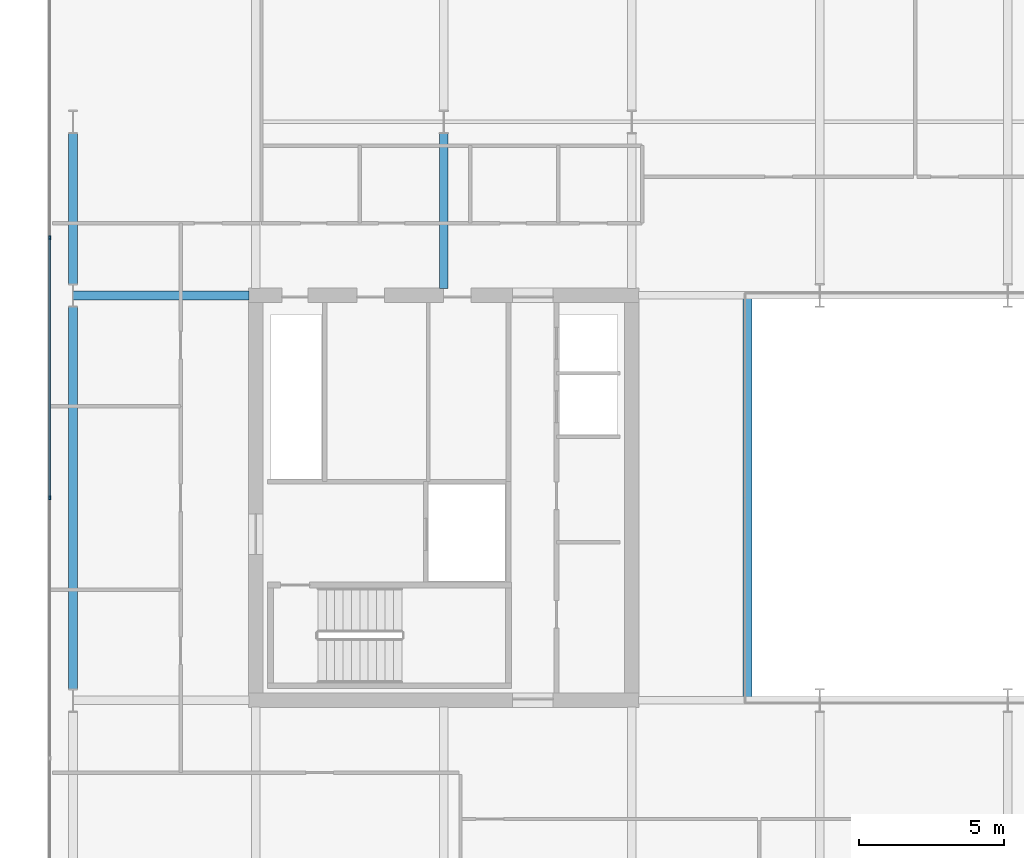
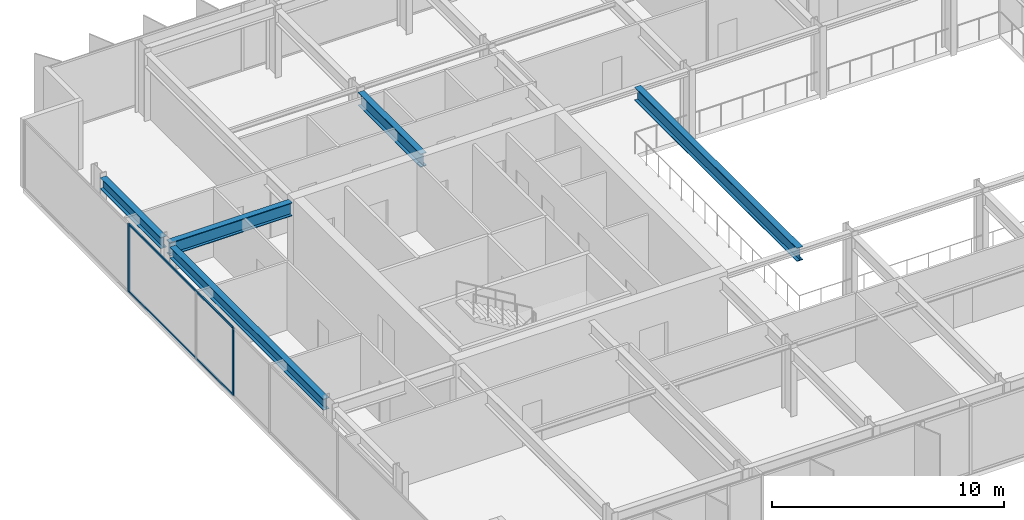
# One storey, part 5 of 23: 5 beams, 4 members, 1 element without a shape of its own.
"""IFC4 building model written with IfcOpenShell, lengths in metres."""

from ifc_helpers import new_model, si_unit, direction, frame, origin, origin_2d, place, context, subcontext, project, spatial, rectangle, i_section, extrude, material, layer, layer_set, material_profile, profile_set, type_object, element, aggregate, save


model = new_model("IFC4")

# Units and contexts
model_context = context("Model", 3, precision=1e-05, world=origin(), true_north=direction((0.0, 1.0)))
body_context = subcontext(model_context, "Body", "Model", "MODEL_VIEW")
ifc_project = project(units=[si_unit("LENGTHUNIT", "METRE"), si_unit("AREAUNIT", "SQUARE_METRE"), si_unit("VOLUMEUNIT", "CUBIC_METRE"), si_unit("PLANEANGLEUNIT", "RADIAN"), si_unit("MASSUNIT", "GRAM", prefix="KILO")], contexts=[model_context])

# Site, building, storey
site_placement = place(None, origin())
site = spatial("IfcSite", under=ifc_project, at=site_placement, CompositionType="ELEMENT")
building_placement = place(site_placement, origin())
building = spatial("IfcBuilding", under=site, at=building_placement, Name="Putna Gate Headquarters", CompositionType="ELEMENT")
storey_placement = place(building_placement, frame((0.0, 0.0, 225.199951171875)))
storey = spatial("IfcBuildingStorey", under=building, at=storey_placement, Name="L56", CompositionType="ELEMENT", Elevation=225.199951171875)

# Beams
ifc_material_1 = material(Name="Steel S355J2", Category="steel")
ifc_material_profile_1 = material_profile(ifc_material_1, i_section(OverallWidth=0.300048828125, OverallDepth=0.699951171875, WebThickness=0.01708984375, FlangeThickness=0.031982421875, at=origin_2d()), Name="Steel S355J2")
ifc_profile_set_1 = profile_set([ifc_material_profile_1], Name="Steel S355J2")
beam_type_1 = type_object("IfcBeamType", Name="BM-GIRD-B-HEB700", PredefinedType="USERDEFINED", material=ifc_profile_set_1)
beam_1_placement = place(storey_placement, frame((6.68603515625, 33.0, 3.22998046875), z_axis=(1.0, 0.0, 0.0), x_axis=(0.0, 1.0, 0.0)))
element("IfcBeam", 1, at=beam_1_placement, inside=storey, type_object=beam_type_1, Name="L56 West Wing Girder Y33", ObjectType="GIRDER", PredefinedType="USERDEFINED", context=body_context, shape_type="SweptSolid", body=[
    extrude(i_section(OverallWidth=0.300048828125, OverallDepth=0.699951171875, WebThickness=0.01708984375, FlangeThickness=0.031982421875, at=origin_2d()), origin(), (0.0, 0.0, 1.0), 6.078857421875),
])
beam_2_placement = place(storey_placement, frame((19.5, 33.235107421875, 3.22998046875), z_axis=(0.0, 1.0, 0.0), x_axis=(-1.0, 0.0, 0.0)))
element("IfcBeam", 2, at=beam_2_placement, inside=storey, type_object=beam_type_1, Name="L56 North Primary Girder X19-1", ObjectType="GIRDER", PredefinedType="USERDEFINED", context=body_context, shape_type="SweptSolid", body=[
    extrude(i_section(OverallWidth=0.300048828125, OverallDepth=0.699951171875, WebThickness=0.01708984375, FlangeThickness=0.031982421875, at=origin_2d()), origin(), (0.0, 0.0, 1.0), 5.369873046875),
])
beam_3_placement = place(storey_placement, frame((30.0, 19.010009765625, 3.22998046875), z_axis=(0.0, 1.0, 0.0), x_axis=(-1.0, 0.0, 0.0)))
element("IfcBeam", 3, at=beam_3_placement, inside=storey, type_object=beam_type_1, Name="L56 Atrium Trim Girder AW", ObjectType="GIRDER", PredefinedType="USERDEFINED", context=body_context, shape_type="SweptSolid", body=[
    extrude(i_section(OverallWidth=0.300048828125, OverallDepth=0.699951171875, WebThickness=0.01708984375, FlangeThickness=0.031982421875, at=origin_2d()), origin(), (0.0, 0.0, 1.0), 13.97998046875),
])
ifc_material_profile_2 = material_profile(ifc_material_1, i_section(OverallWidth=0.300048828125, OverallDepth=0.590087890625, WebThickness=0.012939453125, FlangeThickness=0.02490234375, at=origin_2d()), Name="Steel S355J2")
ifc_profile_set_2 = profile_set([ifc_material_profile_2], Name="Steel S355J2")
beam_type_2 = type_object("IfcBeamType", Name="BM-SPAN-Z4-HEA600", PredefinedType="SPANDREL", material=ifc_profile_set_2)
beam_4_placement = place(storey_placement, frame((6.679931640625, 19.39501953125, 3.28515625), z_axis=(0.0, 1.0, 0.0), x_axis=(-1.0, 0.0, 0.0)))
element("IfcBeam", 4, at=beam_4_placement, inside=storey, type_object=beam_type_2, Name="L56 W End Spandrel 2", PredefinedType="SPANDREL", context=body_context, shape_type="SweptSolid", body=[
    extrude(i_section(OverallWidth=0.300048828125, OverallDepth=0.590087890625, WebThickness=0.012939453125, FlangeThickness=0.02490234375, at=origin_2d()), origin(), (0.0, 0.0, 1.0), 13.2099609375),
])
beam_5_placement = place(storey_placement, frame((6.679931640625, 33.39501953125, 3.28515625), z_axis=(0.0, 1.0, 0.0), x_axis=(-1.0, 0.0, 0.0)))
element("IfcBeam", 5, at=beam_5_placement, inside=storey, type_object=beam_type_2, Name="L56 W End Spandrel 3", PredefinedType="SPANDREL", context=body_context, shape_type="SweptSolid", body=[
    extrude(i_section(OverallWidth=0.300048828125, OverallDepth=0.590087890625, WebThickness=0.012939453125, FlangeThickness=0.02490234375, at=origin_2d()), origin(), (0.0, 0.0, 1.0), 5.2099609375),
])

# Curtain wall, members
ifc_material_2 = material(Name="Anodised bronze aluminium curtain wall", Category="aluminium")
ifc_layer = layer(ifc_material_2, 0.139892578125)
ifc_layer_set = layer_set([ifc_layer], Name="Anodised bronze aluminium curtain wall")
curtain_wall_type = type_object("IfcCurtainWallType", Name="CW-SYS-Z4", PredefinedType="USERDEFINED", material=ifc_layer_set)
curtain_wall_placement = place(storey_placement, origin())
curtain_wall = element("IfcCurtainWall", 6, at=curtain_wall_placement, inside=storey, type_object=curtain_wall_type, Name="L56 West Curtain Wall", ObjectType="STICK CURTAIN WALL", PredefinedType="USERDEFINED")
ifc_material_3 = material(Name="Anodised bronze aluminium EN AW-6060", Category="aluminium")
ifc_material_profile_3 = material_profile(ifc_material_3, rectangle(XDim=0.06005859375, YDim=0.139892578125, at=origin_2d()), Name="Anodised bronze aluminium EN AW-6060")
ifc_profile_set_3 = profile_set([ifc_material_profile_3], Name="Anodised bronze aluminium EN AW-6060")
member_type_1 = type_object("IfcMemberType", Name="MULL-CWM-4", PredefinedType="MULLION", material=ifc_profile_set_3)
member_1_placement = place(storey_placement, frame((5.8798828125, 26.0, 0.0), z_axis=(0.0, 0.0, 1.0), x_axis=(-1.0, 0.0, 0.0)))
member_1 = element("IfcMember", 7, at=member_1_placement, type_object=member_type_1, Name="CWS-4 mullion 3", PredefinedType="MULLION", context=body_context, shape_type="SweptSolid", body=[
    extrude(rectangle(XDim=0.06005859375, YDim=0.139892578125, at=origin_2d()), origin(), (0.0, 0.0, 1.0), 3.580078125),
])
member_2_placement = place(storey_placement, frame((5.8798828125, 35.0, 0.0), z_axis=(0.0, 0.0, 1.0), x_axis=(-1.0, 0.0, 0.0)))
member_2 = element("IfcMember", 8, at=member_2_placement, type_object=member_type_1, Name="CWS-4 mullion 4", PredefinedType="MULLION", context=body_context, shape_type="SweptSolid", body=[
    extrude(rectangle(XDim=0.06005859375, YDim=0.139892578125, at=origin_2d()), origin(), (0.0, 0.0, 1.0), 3.580078125),
])
ifc_material_profile_4 = material_profile(ifc_material_3, rectangle(XDim=0.06005859375, YDim=0.10009765625, at=origin_2d()), Name="Anodised bronze aluminium EN AW-6060")
ifc_profile_set_4 = profile_set([ifc_material_profile_4], Name="Anodised bronze aluminium EN AW-6060")
member_type_2 = type_object("IfcMemberType", Name="TRAN-CWT-4", PredefinedType="USERDEFINED", material=ifc_profile_set_4)
member_3_placement = place(storey_placement, frame((5.8798828125, 26.030029296875, 0.030029296875), z_axis=(0.0, 1.0, 0.0), x_axis=(-1.0, 0.0, 0.0)))
member_3 = element("IfcMember", 9, at=member_3_placement, type_object=member_type_2, Name="CWS-4 transom 3.1", ObjectType="TRANSOM", PredefinedType="USERDEFINED", context=body_context, shape_type="SweptSolid", body=[
    extrude(rectangle(XDim=0.06005859375, YDim=0.10009765625, at=origin_2d()), origin(), (0.0, 0.0, 1.0), 8.93994140625),
])
member_4_placement = place(storey_placement, frame((5.8798828125, 26.030029296875, 3.550048828125), z_axis=(0.0, 1.0, 0.0), x_axis=(-1.0, 0.0, 0.0)))
member_4 = element("IfcMember", 10, at=member_4_placement, type_object=member_type_2, Name="CWS-4 transom 3.2", ObjectType="TRANSOM", PredefinedType="USERDEFINED", context=body_context, shape_type="SweptSolid", body=[
    extrude(rectangle(XDim=0.06005859375, YDim=0.10009765625, at=origin_2d()), origin(), (0.0, 0.0, 1.0), 8.93994140625),
])
aggregate(curtain_wall, [member_1, member_2, member_3, member_4])

save(model, "model.ifc")
